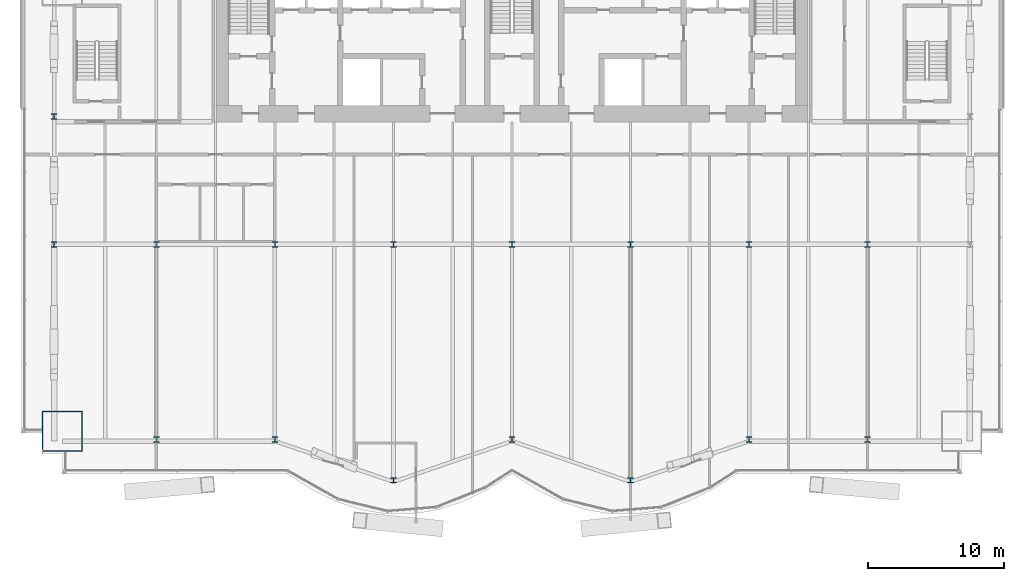
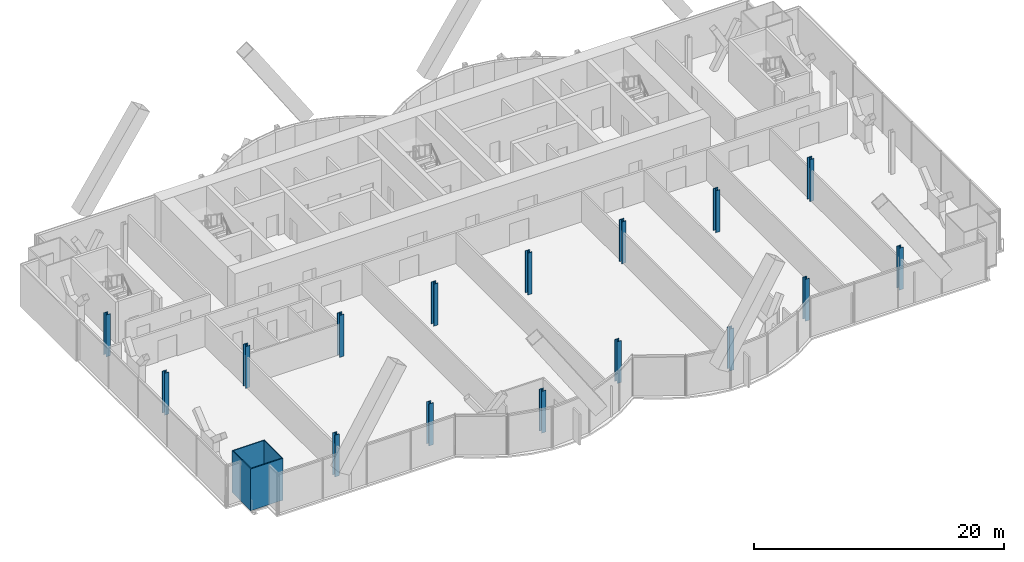
# One storey, part 1 of 22: 17 columns.
"""IFC4 building model written with IfcOpenShell, lengths in metres."""

import ifcopenshell
import ifcopenshell.guid

model = None  # the IFC model being written
_history = None  # IfcOwnerHistory: only IFC2X3 demands one
_inside = {}  # id of a spatial element -> (the spatial element, [elements in it])
_under = {}  # id of a project, library or spatial element -> (it, [spatial elements below it])
_declared = {}  # id of a project -> (the project, [libraries it declares])
_typed = {}  # id of a type object -> (the type object, [elements of that type])
_made_of = {}  # id of a material, layer set ... -> (it, [elements and type objects made of it])


def new_model(schema):
    """Start an empty IFC model of exactly this schema.

    Asked for "IFC4X3", IfcOpenShell would pick the latest addendum, in which some entities
    have other attributes; the version numbers below select the first issue.
    IFC2X3 requires an IfcOwnerHistory on every rooted entity: one is made here for all.
    """
    global model, _history
    if schema == "IFC4X3":
        model = ifcopenshell.file(schema_version=(4, 3, 0, 0))
    else:
        model = ifcopenshell.file(schema=schema)
    _inside.clear()
    _under.clear()
    _declared.clear()
    _typed.clear()
    _made_of.clear()
    _history = None
    if model.schema == "IFC2X3":
        org = make("IfcOrganization", Name="unknown")
        user = make(
            "IfcPersonAndOrganization",
            ThePerson=make("IfcPerson", FamilyName="unknown"),
            TheOrganization=org,
        )
        app = make(
            "IfcApplication",
            ApplicationDeveloper=org,
            Version="unknown",
            ApplicationFullName="unknown",
            ApplicationIdentifier="unknown",
        )
        _history = make(
            "IfcOwnerHistory",
            OwningUser=user,
            OwningApplication=app,
            ChangeAction="ADDED",
            CreationDate=0,
        )
    return model


def make(cls, **values):
    """One entity of the class cls with the attributes given. An attribute that is None is left unset."""
    return model.create_entity(
        cls, **{name: value for name, value in values.items() if value is not None}
    )


def rooted(cls, **values):
    """An entity with a GlobalId (a new one), such as an element, a storey or a relation."""
    return make(cls, GlobalId=ifcopenshell.guid.new(), OwnerHistory=_history, **values)


def si_unit(unit_type, name, prefix=None):
    """IfcSIUnit, for example si_unit("LENGTHUNIT", "METRE", prefix="MILLI")."""
    return make("IfcSIUnit", UnitType=unit_type, Prefix=prefix, Name=name)


def assignment(units):
    """IfcUnitAssignment: the units of a project."""
    return None if units is None else make("IfcUnitAssignment", Units=units)


def point(xyz):
    """IfcCartesianPoint."""
    return None if xyz is None else make("IfcCartesianPoint", Coordinates=xyz)


def direction(xyz):
    """IfcDirection."""
    return None if xyz is None else make("IfcDirection", DirectionRatios=xyz)


def frame(location, z_axis=None, x_axis=None):
    """IfcAxis2Placement3D, a coordinate frame: its origin and axes. An axis left out is left unset."""
    return make(
        "IfcAxis2Placement3D",
        Location=point(location),
        Axis=direction(z_axis),
        RefDirection=direction(x_axis),
    )


def frame_2d(location, x_axis=None):
    """IfcAxis2Placement2D, a coordinate frame in the plane: its origin and x axis."""
    return make(
        "IfcAxis2Placement2D", Location=point(location), RefDirection=direction(x_axis)
    )


def origin():
    """The frame at (0, 0, 0) with its axes left unset."""
    return frame((0.0, 0.0, 0.0))


def origin_2d():
    """The frame at (0, 0) in the plane with its x axis left unset."""
    return frame_2d((0.0, 0.0))


def place(relative_to, where):
    """IfcLocalPlacement: puts the frame where relative to a parent placement (None: the world)."""
    return make(
        "IfcLocalPlacement", PlacementRelTo=relative_to, RelativePlacement=where
    )


def context(
    kind, dimensions, precision=None, world=None, true_north=None, identifier=None
):
    """IfcGeometricRepresentationContext, for example the 3D "Model" context."""
    return make(
        "IfcGeometricRepresentationContext",
        ContextIdentifier=identifier,
        ContextType=kind,
        CoordinateSpaceDimension=dimensions,
        Precision=precision,
        WorldCoordinateSystem=world,
        TrueNorth=true_north,
    )


def subcontext(parent, identifier, kind, view, scale=None):
    """IfcGeometricRepresentationSubContext, for example "Body" below "Model"."""
    return make(
        "IfcGeometricRepresentationSubContext",
        ContextIdentifier=identifier,
        ContextType=kind,
        ParentContext=parent,
        TargetScale=scale,
        TargetView=view,
    )


def project(units=None, contexts=None):
    """IfcProject with its units and contexts."""
    return rooted(
        "IfcProject",
        Name="project",
        RepresentationContexts=contexts,
        UnitsInContext=assignment(units),
    )


def spatial(cls, under=None, at=None, **own):
    """A site, building, storey or space (cls), placed at a placement, below another one or the project."""
    s = rooted(cls, ObjectPlacement=at, **own)
    if under is not None:
        _under.setdefault(under.id(), (under, []))[1].append(s)
    return s


def profile(cls, at=None, kind="AREA", **sizes):
    """A parametric profile (cls). Its sizes go by their IFC names, for example OverallWidth=200.0."""
    return make(cls, ProfileType=kind, Position=at, **sizes)


def hollow_rectangle(**sizes):
    """IfcRectangleHollowProfileDef."""
    return profile("IfcRectangleHollowProfileDef", **sizes)


def i_section(**sizes):
    """IfcIShapeProfileDef."""
    return profile("IfcIShapeProfileDef", **sizes)


def extrude(swept, where, along, depth):
    """IfcExtrudedAreaSolid: the profile swept, set in the frame where, extruded along a direction by depth."""
    return make(
        "IfcExtrudedAreaSolid",
        SweptArea=swept,
        Position=where,
        ExtrudedDirection=direction(along),
        Depth=depth,
    )


def shape(context_of_items, identifier, shape_type, items):
    """IfcShapeRepresentation: the items that make up one representation, for example the "Body"."""
    return make(
        "IfcShapeRepresentation",
        ContextOfItems=context_of_items,
        RepresentationIdentifier=identifier,
        RepresentationType=shape_type,
        Items=items,
    )


def material(Name=None, Category=None):
    """IfcMaterial."""
    return make("IfcMaterial", Name=Name, Category=Category)


def material_profile(
    of_material, cross_section, Name=None, Category=None, Priority=None
):
    """IfcMaterialProfile: a cross section and its material."""
    return make(
        "IfcMaterialProfile",
        Name=Name,
        Material=of_material,
        Profile=cross_section,
        Priority=Priority,
        Category=Category,
    )


def profile_set(profiles, Name=None, composite=None):
    """IfcMaterialProfileSet."""
    return make(
        "IfcMaterialProfileSet",
        Name=Name,
        MaterialProfiles=profiles,
        CompositeProfile=composite,
    )


def made_of(thing, what):
    """Note that an element or type object is made of a material, layer set ...; save() writes the relation."""
    if what is not None:
        _made_of.setdefault(what.id(), (what, []))[1].append(thing)
    return thing


def type_object(cls, material=None, **own):
    """A type object (cls), such as IfcWallType, which elements share."""
    return made_of(rooted(cls, **own), material)


def element(
    cls,
    number,
    at=None,
    inside=None,
    cuts=None,
    type_object=None,
    material=None,
    context=None,
    identifier="Body",
    shape_type=None,
    held_by="IfcProductDefinitionShape",
    body=None,
    shapes=None,
    **own,
):
    """One element of the class cls, such as IfcWall. Its Tag is "e" and its number.

    at: its placement. inside: the storey or other place that contains it. cuts: it is an
    opening in that element (IfcRelVoidsElement). A single representation is given by context,
    identifier, shape_type and body (its items); several are given by shapes. held_by: the class
    of the entity that holds the representations. save() writes the other relations.
    """
    e = rooted(cls, Tag="e%d" % number, ObjectPlacement=at, **own)
    if body is not None:
        shapes = [shape(context, identifier, shape_type, body)]
    if shapes is not None:
        e.Representation = make(held_by, Representations=shapes)
    if inside is not None:
        _inside.setdefault(inside.id(), (inside, []))[1].append(e)
    if cuts is not None:
        rooted(
            "IfcRelVoidsElement", RelatingBuildingElement=cuts, RelatedOpeningElement=e
        )
    if type_object is not None:
        _typed.setdefault(type_object.id(), (type_object, []))[1].append(e)
    return made_of(e, material)


def aggregate(whole, parts):
    """IfcRelAggregates: a whole, such as a stair, and the parts it consists of."""
    return rooted("IfcRelAggregates", RelatingObject=whole, RelatedObjects=parts)


def save(model, path):
    """Write the relations noted so far, then the file.

    IfcRelAggregates (storeys below a building ...), IfcRelContainedInSpatialStructure (elements
    in a storey), IfcRelDefinesByType, IfcRelAssociatesMaterial and IfcRelDeclares: one each for
    every whole, place, type object, material and project.
    """
    for whole, parts in _under.values():
        aggregate(whole, parts)
    for where, things in _inside.values():
        rooted(
            "IfcRelContainedInSpatialStructure",
            RelatedElements=things,
            RelatingStructure=where,
        )
    for kind, things in _typed.values():
        rooted("IfcRelDefinesByType", RelatedObjects=things, RelatingType=kind)
    for what, things in _made_of.values():
        rooted("IfcRelAssociatesMaterial", RelatedObjects=things, RelatingMaterial=what)
    for by, libraries in _declared.values():
        rooted("IfcRelDeclares", RelatingContext=by, RelatedDefinitions=libraries)
    model.write(path)


model = new_model("IFC4")

# Units and contexts
model_context = context("Model", 3, precision=1e-05, world=origin(), true_north=direction((0.0, 1.0)))
body_context = subcontext(model_context, "Body", "Model", "MODEL_VIEW")
ifc_project = project(units=[si_unit("LENGTHUNIT", "METRE"), si_unit("AREAUNIT", "SQUARE_METRE"), si_unit("VOLUMEUNIT", "CUBIC_METRE"), si_unit("PLANEANGLEUNIT", "RADIAN"), si_unit("MASSUNIT", "GRAM", prefix="KILO")], contexts=[model_context])

# Site, building, storey
site_placement = place(None, origin())
site = spatial("IfcSite", under=ifc_project, at=site_placement, CompositionType="ELEMENT")
building_placement = place(site_placement, origin())
building = spatial("IfcBuilding", under=site, at=building_placement, Name="Bicima Exchange Tower", CompositionType="ELEMENT")
storey_placement = place(building_placement, frame((0.0, 0.0, 94.0)))
storey = spatial("IfcBuildingStorey", under=building, at=storey_placement, Name="L19", CompositionType="ELEMENT", Elevation=94.0)

# Columns
ifc_material_1 = material(Name="Steel ASTM A992 Gr 50", Category="steel")
ifc_material_profile_1 = material_profile(ifc_material_1, i_section(OverallWidth=0.406494140625, OverallDepth=0.41650390625, WebThickness=0.030029296875, FlangeThickness=0.048095703125, at=origin_2d()))
ifc_profile_set_1 = profile_set([ifc_material_profile_1], Name="Steel ASTM A992 Gr 50")
column_type_1 = type_object("IfcColumnType", Name="Interior column W14x257", PredefinedType="COLUMN", material=ifc_profile_set_1)
for number, where, z_axis, x_axis, name in (
    (1, (-26.10009765625, -22.0, 0.0), (0.0, 0.0, 1.0), (1.0, 0.0, 0.0), "Interior column interior-26.1i"),
    (2, (-17.39990234375, -22.0, 0.0), (0.0, 0.0, 1.0), (1.0, 0.0, 0.0), "Interior column interior-17.4i"),
    (3, (-8.699951171875, -22.0, 0.0), (0.0, 0.0, 1.0), (1.0, 0.0, 0.0), "Interior column interior-8.7i"),
    (4, (0.0, -22.0, 0.0), (0.0, 0.0, 1.0), (1.0, 0.0, 0.0), "Interior column interior+0.0i"),
    (5, (8.699951171875, -22.0, 0.0), (0.0, 0.0, 1.0), (1.0, 0.0, 0.0), "Interior column interior+8.7i"),
    (6, (17.39990234375, -22.0, 0.0), (0.0, 0.0, 1.0), (1.0, 0.0, 0.0), "Interior column interior+17.4i"),
    (7, (26.10009765625, -22.0, 0.0), (0.0, 0.0, 1.0), (1.0, 0.0, 0.0), "Interior column interior+26.1i"),
):
    element("IfcColumn", number, at=place(storey_placement, frame(where, z_axis=z_axis, x_axis=x_axis)), inside=storey, type_object=column_type_1, Name=name, PredefinedType="COLUMN", context=body_context, shape_type="SweptSolid", body=[
        extrude(i_section(OverallWidth=0.406494140625, OverallDepth=0.41650390625, WebThickness=0.030029296875, FlangeThickness=0.048095703125, at=origin_2d()), origin(), (0.0, 0.0, 1.0), 4.10009765625),
    ])
ifc_material_2 = material(Name="Steel ASTM A572 Gr 50", Category="steel")
ifc_material_profile_2 = material_profile(ifc_material_2, hollow_rectangle(XDim=3.0, YDim=3.0, WallThickness=0.090087890625, at=origin_2d()))
ifc_profile_set_2 = profile_set([ifc_material_profile_2], Name="Steel ASTM A572 Gr 50")
column_type_2 = type_object("IfcColumnType", Name="Mega column BOX 3000x3000x90", PredefinedType="COLUMN", material=ifc_profile_set_2)
column_placement = place(storey_placement, frame((-33.0, -35.7060546875, 0.0), z_axis=(0.0, 0.0, 1.0), x_axis=(1.0, 0.0, 0.0)))
element("IfcColumn", 8, at=column_placement, inside=storey, type_object=column_type_2, Name="Mega column mega-33.0f", PredefinedType="COLUMN", context=body_context, shape_type="SweptSolid", body=[
    extrude(hollow_rectangle(XDim=3.0, YDim=3.0, WallThickness=0.090087890625, at=origin_2d()), origin(), (0.0, 0.0, 1.0), 4.10009765625),
])
ifc_material_profile_3 = material_profile(ifc_material_1, i_section(OverallWidth=0.398681640625, OverallDepth=0.393798828125, WebThickness=0.022705078125, FlangeThickness=0.03662109375, at=origin_2d()))
ifc_profile_set_3 = profile_set([ifc_material_profile_3], Name="Steel ASTM A992 Gr 50")
column_type_3 = type_object("IfcColumnType", Name="Perimeter column W14x193", PredefinedType="COLUMN", material=ifc_profile_set_3)
for number, where, z_axis, x_axis, name in (
    (9, (-26.10009765625, -36.305908203125, 0.0), (0.0, 0.0, 1.0), (1.0, 0.0, 0.0), "Perimeter column grav-26.1f"),
    (10, (-17.39990234375, -36.305908203125, 0.0), (0.0, 0.0, 1.0), (1.0, 0.0, 0.0), "Perimeter column grav-17.4f"),
    (11, (-8.699951171875, -39.297119140625, 0.0), (0.0, 0.0, 1.0), (1.0, 0.0, 0.0), "Perimeter column grav-8.7f"),
    (12, (0.0, -36.305908203125, 0.0), (0.0, 0.0, 1.0), (1.0, 0.0, 0.0), "Perimeter column grav-0.0f"),
    (13, (8.699951171875, -39.297119140625, 0.0), (0.0, 0.0, 1.0), (1.0, 0.0, 0.0), "Perimeter column grav+8.7f"),
    (14, (17.39990234375, -36.305908203125, 0.0), (0.0, 0.0, 1.0), (1.0, 0.0, 0.0), "Perimeter column grav+17.4f"),
    (15, (26.10009765625, -36.305908203125, 0.0), (0.0, 0.0, 1.0), (1.0, 0.0, 0.0), "Perimeter column grav+26.1f"),
    (16, (-33.60009765625, -12.60009765625, 0.0), (0.0, 0.0, 1.0), (1.0, 0.0, 0.0), "End column end-33.6e"),
    (17, (-33.60009765625, -22.0, 0.0), (0.0, 0.0, 1.0), (1.0, 0.0, 0.0), "End column end-33.6e"),
):
    element("IfcColumn", number, at=place(storey_placement, frame(where, z_axis=z_axis, x_axis=x_axis)), inside=storey, type_object=column_type_3, Name=name, PredefinedType="COLUMN", context=body_context, shape_type="SweptSolid", body=[
        extrude(i_section(OverallWidth=0.398681640625, OverallDepth=0.393798828125, WebThickness=0.022705078125, FlangeThickness=0.03662109375, at=origin_2d()), origin(), (0.0, 0.0, 1.0), 4.10009765625),
    ])

save(model, "model.ifc")
